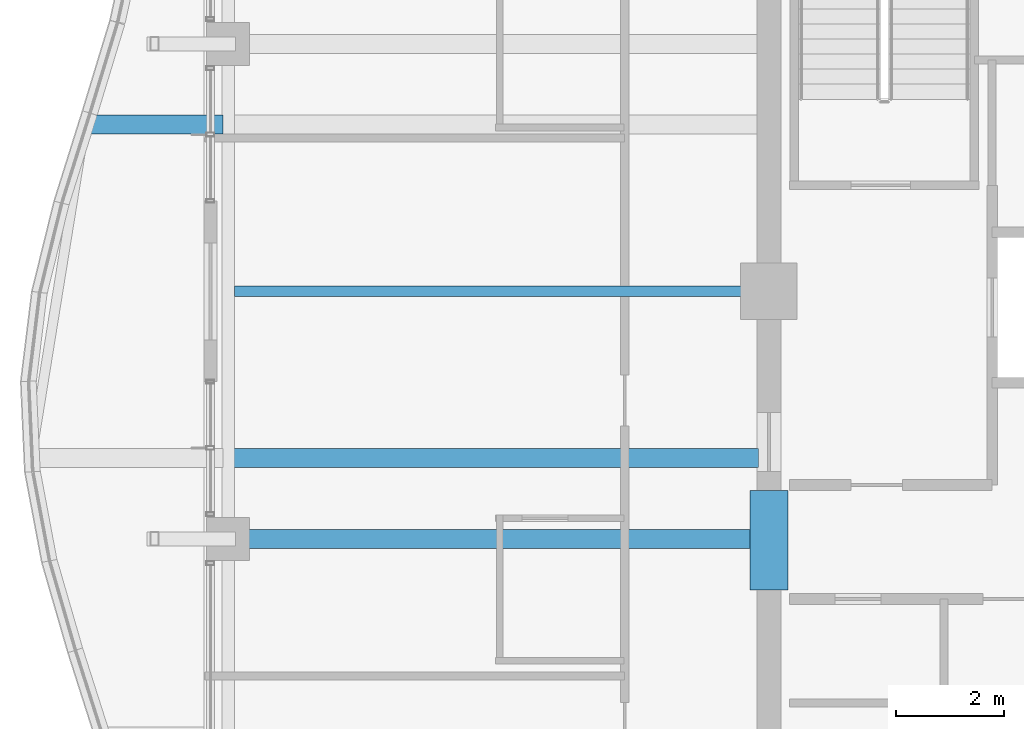
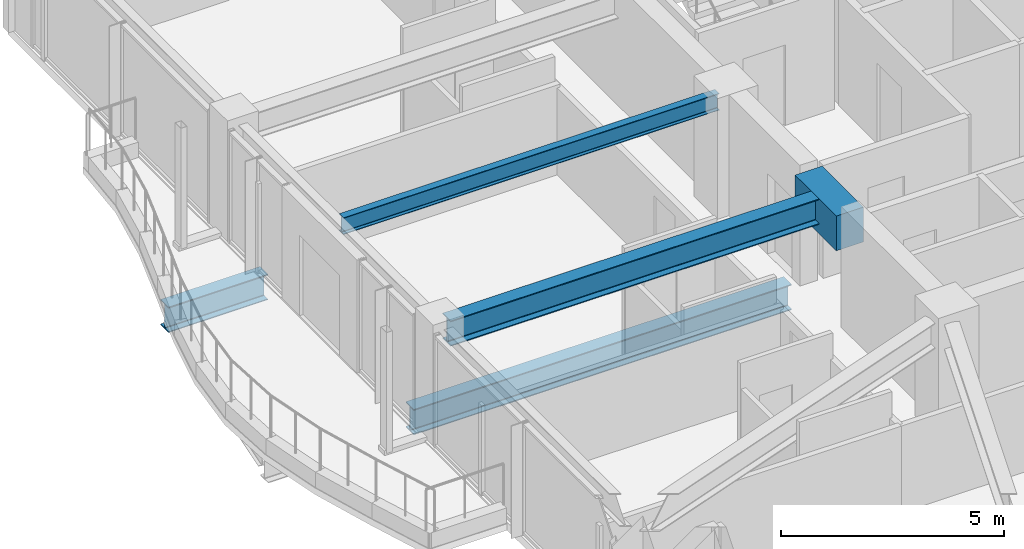
# One storey, part 7 of 33: 5 beams.
"""IFC4 building model written with IfcOpenShell, lengths in metres."""

from ifc_helpers import new_model, si_unit, direction, frame, origin, origin_2d, place, context, subcontext, project, spatial, rectangle, i_section, extrude, material, material_profile, profile_set, type_object, element, save


model = new_model("IFC4")

# Units and contexts
model_context = context("Model", 3, precision=1e-05, world=origin(), true_north=direction((0.0, 1.0)))
body_context = subcontext(model_context, "Body", "Model", "MODEL_VIEW")
ifc_project = project(units=[si_unit("LENGTHUNIT", "METRE"), si_unit("AREAUNIT", "SQUARE_METRE"), si_unit("VOLUMEUNIT", "CUBIC_METRE"), si_unit("PLANEANGLEUNIT", "RADIAN"), si_unit("MASSUNIT", "GRAM", prefix="KILO")], contexts=[model_context])

# Site, building, storey
site_placement = place(None, origin())
site = spatial("IfcSite", under=ifc_project, at=site_placement, CompositionType="ELEMENT")
building_placement = place(site_placement, origin())
building = spatial("IfcBuilding", under=site, at=building_placement, Name="Kolvaren Belvedere", CompositionType="ELEMENT")
storey_placement = place(building_placement, frame((0.0, 0.0, 209.699951171875)))
storey = spatial("IfcBuildingStorey", under=building, at=storey_placement, Name="L61", CompositionType="ELEMENT", Elevation=209.699951171875)

# Beams
ifc_material_1 = material(Name="Structural steel ASTM A992 Grade 50", Category="steel")
ifc_material_profile_1 = material_profile(ifc_material_1, i_section(OverallWidth=0.35498046875, OverallDepth=0.696044921875, WebThickness=0.015380859375, FlangeThickness=0.02490234375, FilletRadius=0.02197265625, at=origin_2d()), Name="W27X146")
ifc_profile_set_1 = profile_set([ifc_material_profile_1], Name="Structural steel ASTM A992 Grade 50")
beam_type_1 = type_object("IfcBeamType", Name="BM-CANT-BAL", PredefinedType="BEAM", material=ifc_profile_set_1)
beam_1_placement = place(storey_placement, frame((-20.044921875, 3.10009765625, -0.56787109375), z_axis=(-1.0, 0.0, 0.0), x_axis=(0.0, -1.0, 0.0)))
element("IfcBeam", 1, at=beam_1_placement, inside=storey, type_object=beam_type_1, Name="L61 Planted Balcony Cantilever BAL-W-2", PredefinedType="BEAM", context=body_context, shape_type="SweptSolid", body=[
    extrude(i_section(OverallWidth=0.35498046875, OverallDepth=0.696044921875, WebThickness=0.015380859375, FlangeThickness=0.02490234375, FilletRadius=0.02197265625, at=origin_2d()), origin(), (0.0, 0.0, 1.0), 2.56884765625),
])
ifc_material_2 = material(Name="Structural steel ASTM A992 Grade 50", Category="steel")
ifc_material_profile_2 = material_profile(ifc_material_2, i_section(OverallWidth=0.35498046875, OverallDepth=0.696044921875, WebThickness=0.015380859375, FlangeThickness=0.02490234375, FilletRadius=0.02197265625, at=origin_2d()), Name="W27X146")
ifc_profile_set_2 = profile_set([ifc_material_profile_2], Name="Structural steel ASTM A992 Grade 50")
beam_type_2 = type_object("IfcBeamType", Name="BM-GIRD-W27X146", PredefinedType="BEAM", material=ifc_profile_set_2)
beam_2_placement = place(storey_placement, frame((-10.090087890625, -3.10009765625, -0.56787109375), z_axis=(-1.0, 0.0, 0.0), x_axis=(0.0, -1.0, 0.0)))
element("IfcBeam", 2, at=beam_2_placement, inside=storey, type_object=beam_type_2, Name="L61 Balcony Interior Back-Span Girder BAL-W-1", PredefinedType="BEAM", context=body_context, shape_type="SweptSolid", body=[
    extrude(i_section(OverallWidth=0.35498046875, OverallDepth=0.696044921875, WebThickness=0.015380859375, FlangeThickness=0.02490234375, FilletRadius=0.02197265625, at=origin_2d()), origin(), (0.0, 0.0, 1.0), 9.764892578125),
])
beam_3_placement = place(storey_placement, frame((-10.125, -4.60009765625, 2.73193359375), z_axis=(-1.0, 0.0, 0.0), x_axis=(0.0, -1.0, 0.0)))
element("IfcBeam", 3, at=beam_3_placement, inside=storey, type_object=beam_type_2, Name="L61 West Radial Girder M", PredefinedType="BEAM", context=body_context, shape_type="SweptSolid", body=[
    extrude(i_section(OverallWidth=0.35498046875, OverallDepth=0.696044921875, WebThickness=0.015380859375, FlangeThickness=0.02490234375, FilletRadius=0.02197265625, at=origin_2d()), origin(), (0.0, 0.0, 1.0), 9.64501953125),
])
ifc_material_3 = material(Name="Structural steel ASTM A992 Grade 50", Category="steel")
ifc_material_profile_3 = material_profile(ifc_material_3, i_section(OverallWidth=0.19091796875, OverallDepth=0.4599609375, WebThickness=0.010009765625, FlangeThickness=0.01611328125, FilletRadius=0.014892578125, at=origin_2d()), Name="W18X55")
ifc_profile_set_3 = profile_set([ifc_material_profile_3], Name="Structural steel ASTM A992 Grade 50")
beam_type_3 = type_object("IfcBeamType", Name="BM-JOIST-W18X55", PredefinedType="BEAM", material=ifc_profile_set_3)
beam_4_placement = place(storey_placement, frame((-10.125, 0.0, 2.85009765625), z_axis=(-1.0, 0.0, 0.0), x_axis=(0.0, -1.0, 0.0)))
element("IfcBeam", 4, at=beam_4_placement, inside=storey, type_object=beam_type_3, Name="L61 West Centre Floor Beam", PredefinedType="BEAM", context=body_context, shape_type="SweptSolid", body=[
    extrude(i_section(OverallWidth=0.19091796875, OverallDepth=0.4599609375, WebThickness=0.010009765625, FlangeThickness=0.01611328125, FilletRadius=0.014892578125, at=origin_2d()), origin(), (0.0, 0.0, 1.0), 9.71044921875),
])
ifc_material_4 = material(Name="Concrete C60/75", Category="concrete")
ifc_material_profile_4 = material_profile(ifc_material_4, rectangle(XDim=0.699951171875, YDim=0.949951171875, at=origin_2d()), Name="RC 700X950")
ifc_profile_set_4 = profile_set([ifc_material_profile_4], Name="Concrete C60/75")
beam_type_4 = type_object("IfcBeamType", Name="BM-LINT-950", PredefinedType="LINTEL", material=ifc_profile_set_4)
beam_5_placement = place(storey_placement, frame((-9.89990234375, -5.550048828125, 2.60498046875), z_axis=(0.0, 1.0, 0.0), x_axis=(-1.0, 0.0, 0.0)))
element("IfcBeam", 5, at=beam_5_placement, inside=storey, type_object=beam_type_4, Name="L61 West Core Coupling Lintel", PredefinedType="LINTEL", context=body_context, shape_type="SweptSolid", body=[
    extrude(rectangle(XDim=0.699951171875, YDim=0.949951171875, at=origin_2d()), origin(), (0.0, 0.0, 1.0), 1.85009765625),
])

save(model, "model.ifc")
